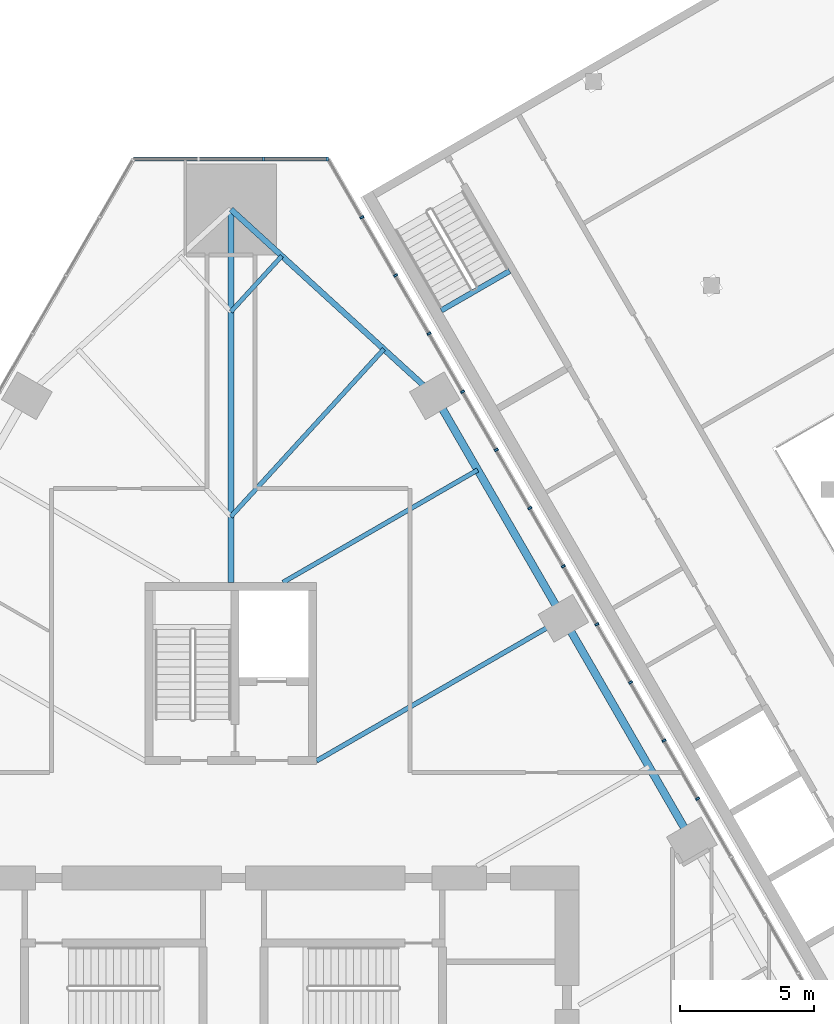
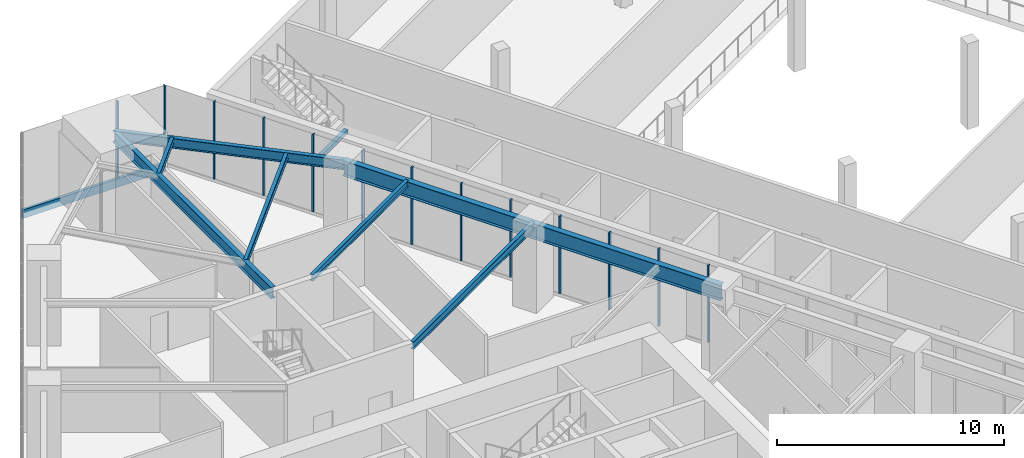
# One storey, part 12 of 30: 14 members, 8 beams, 2 elements without a shape of their own.
"""IFC4 building model written with IfcOpenShell, lengths in metres."""

from ifc_helpers import new_model, si_unit, direction, frame, origin, origin_2d, place, context, subcontext, project, spatial, rectangle, i_section, extrude, material, layer, layer_set, material_profile, profile_set, type_object, element, aggregate, save


model = new_model("IFC4")

# Units and contexts
model_context = context("Model", 3, precision=1e-05, world=origin(), true_north=direction((0.0, 1.0)))
body_context = subcontext(model_context, "Body", "Model", "MODEL_VIEW")
ifc_project = project(units=[si_unit("LENGTHUNIT", "METRE"), si_unit("AREAUNIT", "SQUARE_METRE"), si_unit("VOLUMEUNIT", "CUBIC_METRE"), si_unit("PLANEANGLEUNIT", "RADIAN"), si_unit("MASSUNIT", "GRAM", prefix="KILO")], contexts=[model_context])

# Site, building, storey
site_placement = place(None, origin())
site = spatial("IfcSite", under=ifc_project, at=site_placement, CompositionType="ELEMENT")
building_placement = place(site_placement, origin())
building = spatial("IfcBuilding", under=site, at=building_placement, Name="Firuza Gate Tower and Library", CompositionType="ELEMENT")
storey_placement = place(building_placement, frame((0.0, 0.0, 12.60009765625)))
storey = spatial("IfcBuildingStorey", under=building, at=storey_placement, Name="L02", CompositionType="ELEMENT", Elevation=12.60009765625)

# Curtain wall, members
ifc_material_1 = material(Name="Aluminium 6063-T6", Category="aluminium")
ifc_layer = layer(ifc_material_1, 0.14990234375)
ifc_layer_set = layer_set([ifc_layer], Name="Stick curtain wall, podium")
curtain_wall_type = type_object("IfcCurtainWallType", Name="Stick curtain wall, podium", PredefinedType="NOTDEFINED", material=ifc_layer_set)
placement = place(storey_placement, origin())
curtain_wall_1 = element("IfcCurtainWall", 1, at=placement, inside=storey, type_object=curtain_wall_type, Name="CW5 L02 E", PredefinedType="NOTDEFINED")
ifc_material_2 = material(Name="Aluminium 6063-T6", Category="aluminium")
ifc_material_profile_1 = material_profile(ifc_material_2, rectangle(XDim=0.14990234375, YDim=0.080078125, at=origin_2d()))
ifc_profile_set_1 = profile_set([ifc_material_profile_1], Name="Aluminium 6063-T6")
member_type_1 = type_object("IfcMemberType", Name="Curtain wall mullion 80x150", PredefinedType="MULLION", material=ifc_profile_set_1)
member_1_placement = place(storey_placement, frame((92.43798828125, 86.515869140625, 0.14990234375), z_axis=(0.0, 0.0, 1.0), x_axis=(-0.866025403784, -0.5, 0.0)))
member_1 = element("IfcMember", 2, at=member_1_placement, type_object=member_type_1, Name="Mullion", PredefinedType="MULLION", context=body_context, shape_type="SweptSolid", body=[
    extrude(rectangle(XDim=0.14990234375, YDim=0.080078125, at=origin_2d()), origin(), (0.0, 0.0, 1.0), 4.14990234375),
])
member_2_placement = place(storey_placement, frame((91.183837890625, 88.68798828125, 0.14990234375), z_axis=(0.0, 0.0, 1.0), x_axis=(-0.866025403784, -0.5, 0.0)))
member_2 = element("IfcMember", 3, at=member_2_placement, type_object=member_type_1, Name="Mullion", PredefinedType="MULLION", context=body_context, shape_type="SweptSolid", body=[
    extrude(rectangle(XDim=0.14990234375, YDim=0.080078125, at=origin_2d()), origin(), (0.0, 0.0, 1.0), 4.14990234375),
])
member_3_placement = place(storey_placement, frame((89.929931640625, 90.860107421875, 0.14990234375), z_axis=(0.0, 0.0, 1.0), x_axis=(-0.866025403784, -0.5, 0.0)))
member_3 = element("IfcMember", 4, at=member_3_placement, type_object=member_type_1, Name="Mullion", PredefinedType="MULLION", context=body_context, shape_type="SweptSolid", body=[
    extrude(rectangle(XDim=0.14990234375, YDim=0.080078125, at=origin_2d()), origin(), (0.0, 0.0, 1.0), 4.14990234375),
])
member_4_placement = place(storey_placement, frame((88.67578125, 93.0322265625, 0.14990234375), z_axis=(0.0, 0.0, 1.0), x_axis=(-0.866025403784, -0.5, 0.0)))
member_4 = element("IfcMember", 5, at=member_4_placement, type_object=member_type_1, Name="Mullion", PredefinedType="MULLION", context=body_context, shape_type="SweptSolid", body=[
    extrude(rectangle(XDim=0.14990234375, YDim=0.080078125, at=origin_2d()), origin(), (0.0, 0.0, 1.0), 4.14990234375),
])
member_5_placement = place(storey_placement, frame((87.421630859375, 95.2041015625, 0.14990234375), z_axis=(0.0, 0.0, 1.0), x_axis=(-0.866025403784, -0.5, 0.0)))
member_5 = element("IfcMember", 6, at=member_5_placement, type_object=member_type_1, Name="Mullion", PredefinedType="MULLION", context=body_context, shape_type="SweptSolid", body=[
    extrude(rectangle(XDim=0.14990234375, YDim=0.080078125, at=origin_2d()), origin(), (0.0, 0.0, 1.0), 4.14990234375),
])
member_6_placement = place(storey_placement, frame((86.167724609375, 97.376220703125, 0.14990234375), z_axis=(0.0, 0.0, 1.0), x_axis=(-0.866025403784, -0.5, 0.0)))
member_6 = element("IfcMember", 7, at=member_6_placement, type_object=member_type_1, Name="Mullion", PredefinedType="MULLION", context=body_context, shape_type="SweptSolid", body=[
    extrude(rectangle(XDim=0.14990234375, YDim=0.080078125, at=origin_2d()), origin(), (0.0, 0.0, 1.0), 4.14990234375),
])
member_7_placement = place(storey_placement, frame((84.91357421875, 99.54833984375, 0.14990234375), z_axis=(0.0, 0.0, 1.0), x_axis=(-0.866025403784, -0.5, 0.0)))
member_7 = element("IfcMember", 8, at=member_7_placement, type_object=member_type_1, Name="Mullion", PredefinedType="MULLION", context=body_context, shape_type="SweptSolid", body=[
    extrude(rectangle(XDim=0.14990234375, YDim=0.080078125, at=origin_2d()), origin(), (0.0, 0.0, 1.0), 4.14990234375),
])
member_8_placement = place(storey_placement, frame((83.659423828125, 101.720458984375, 0.14990234375), z_axis=(0.0, 0.0, 1.0), x_axis=(-0.866025403784, -0.5, 0.0)))
member_8 = element("IfcMember", 9, at=member_8_placement, type_object=member_type_1, Name="Mullion", PredefinedType="MULLION", context=body_context, shape_type="SweptSolid", body=[
    extrude(rectangle(XDim=0.14990234375, YDim=0.080078125, at=origin_2d()), origin(), (0.0, 0.0, 1.0), 4.14990234375),
])
member_9_placement = place(storey_placement, frame((82.405517578125, 103.892578125, 0.14990234375), z_axis=(0.0, 0.0, 1.0), x_axis=(-0.866025403784, -0.5, 0.0)))
member_9 = element("IfcMember", 10, at=member_9_placement, type_object=member_type_1, Name="Mullion", PredefinedType="MULLION", context=body_context, shape_type="SweptSolid", body=[
    extrude(rectangle(XDim=0.14990234375, YDim=0.080078125, at=origin_2d()), origin(), (0.0, 0.0, 1.0), 4.14990234375),
])
member_10_placement = place(storey_placement, frame((81.1513671875, 106.064697265625, 0.14990234375), z_axis=(0.0, 0.0, 1.0), x_axis=(-0.866025403784, -0.5, 0.0)))
member_10 = element("IfcMember", 11, at=member_10_placement, type_object=member_type_1, Name="Mullion", PredefinedType="MULLION", context=body_context, shape_type="SweptSolid", body=[
    extrude(rectangle(XDim=0.14990234375, YDim=0.080078125, at=origin_2d()), origin(), (0.0, 0.0, 1.0), 4.14990234375),
])
member_11_placement = place(storey_placement, frame((79.8974609375, 108.23681640625, 0.14990234375), z_axis=(0.0, 0.0, 1.0), x_axis=(-0.866025403784, -0.5, 0.0)))
member_11 = element("IfcMember", 12, at=member_11_placement, type_object=member_type_1, Name="Mullion", PredefinedType="MULLION", context=body_context, shape_type="SweptSolid", body=[
    extrude(rectangle(XDim=0.14990234375, YDim=0.080078125, at=origin_2d()), origin(), (0.0, 0.0, 1.0), 4.14990234375),
])
aggregate(curtain_wall_1, [member_1, member_2, member_3, member_4, member_5, member_6, member_7, member_8, member_9, member_10, member_11])

curtain_wall_2 = element("IfcCurtainWall", 13, at=placement, inside=storey, type_object=curtain_wall_type, Name="CW5 L02 N", PredefinedType="NOTDEFINED")
member_12_placement = place(storey_placement, frame((78.603271484375, 110.408935546875, 0.14990234375), z_axis=(0.0, 0.0, 1.0), x_axis=(0.0, -1.0, 0.0)))
member_12 = element("IfcMember", 14, at=member_12_placement, type_object=member_type_1, Name="Mullion", PredefinedType="MULLION", context=body_context, shape_type="SweptSolid", body=[
    extrude(rectangle(XDim=0.14990234375, YDim=0.080078125, at=origin_2d()), origin(), (0.0, 0.0, 1.0), 4.14990234375),
])
member_13_placement = place(storey_placement, frame((76.21435546875, 110.408935546875, 0.14990234375), z_axis=(0.0, 0.0, 1.0), x_axis=(0.0, -1.0, 0.0)))
member_13 = element("IfcMember", 15, at=member_13_placement, type_object=member_type_1, Name="Mullion", PredefinedType="MULLION", context=body_context, shape_type="SweptSolid", body=[
    extrude(rectangle(XDim=0.14990234375, YDim=0.080078125, at=origin_2d()), origin(), (0.0, 0.0, 1.0), 4.14990234375),
])
ifc_material_3 = material(Name="Aluminium 6063-T6", Category="aluminium")
ifc_material_profile_2 = material_profile(ifc_material_3, rectangle(XDim=0.14990234375, YDim=0.449951171875, at=origin_2d()))
ifc_profile_set_2 = profile_set([ifc_material_profile_2], Name="Aluminium 6063-T6")
member_type_2 = type_object("IfcMemberType", Name="Curtain wall transom 450x150", PredefinedType="USERDEFINED", material=ifc_profile_set_2)
member_14_placement = place(storey_placement, frame((78.643310546875, 110.408935546875, -0.0751953125), z_axis=(-1.0, 0.0, 0.0), x_axis=(0.0, -1.0, 0.0)))
member_14 = element("IfcMember", 16, at=member_14_placement, type_object=member_type_2, Name="Transom", ObjectType="TRANSOM", PredefinedType="USERDEFINED", context=body_context, shape_type="SweptSolid", body=[
    extrude(rectangle(XDim=0.14990234375, YDim=0.449951171875, at=origin_2d()), origin(), (0.0, 0.0, 1.0), 7.28662109375),
])
aggregate(curtain_wall_2, [member_12, member_13, member_14])

# Beams
ifc_material_4 = material(Name="Concrete C40/50", Category="concrete")
ifc_material_profile_3 = material_profile(ifc_material_4, rectangle(XDim=0.199951171875, YDim=0.199951171875, at=origin_2d()))
ifc_profile_set_3 = profile_set([ifc_material_profile_3], Name="Concrete C40/50")
beam_type_1 = type_object("IfcBeamType", Name="LIB LANDING BEARER 200X200", PredefinedType="BEAM", material=ifc_profile_set_3)
beam_1_placement = place(storey_placement, frame((82.859375, 104.75634765625, 2.0), z_axis=(0.866060182126, 0.499939757307, 0.0), x_axis=(-0.499939757307, 0.866060182126, 0.0)))
element("IfcBeam", 17, at=beam_1_placement, inside=storey, type_object=beam_type_1, Name="LIB-ST-A landing bearer L02", PredefinedType="BEAM", context=body_context, shape_type="SweptSolid", body=[
    extrude(rectangle(XDim=0.199951171875, YDim=0.199951171875, at=origin_2d()), origin(), (0.0, 0.0, 1.0), 2.949951171875),
])
ifc_material_5 = material(Name="Steel S355", Category="steel")
ifc_material_profile_4 = material_profile(ifc_material_5, i_section(OverallWidth=0.1650390625, OverallDepth=0.31005859375, WebThickness=0.005859375, FlangeThickness=0.009765625, at=origin_2d()))
ifc_profile_set_4 = profile_set([ifc_material_profile_4], Name="Steel S355")
beam_type_2 = type_object("IfcBeamType", Name="W310x39 Floor beam", PredefinedType="JOIST", material=ifc_profile_set_4)
beam_2_placement = place(storey_placement, frame((76.905029296875, 106.79296875, 4.14501953125), z_axis=(-0.674533736892, -0.738244023203, 0.0), x_axis=(0.738244023203, -0.674533736892, 0.0)))
element("IfcBeam", 18, at=beam_2_placement, inside=storey, type_object=beam_type_2, Name="Floor beam L02 s81", PredefinedType="JOIST", context=body_context, shape_type="SweptSolid", body=[
    extrude(i_section(OverallWidth=0.1650390625, OverallDepth=0.31005859375, WebThickness=0.005859375, FlangeThickness=0.009765625, at=origin_2d()), origin(), (0.0, 0.0, 1.0), 2.82421875),
])
ifc_material_6 = material(Name="Steel S355", Category="steel")
ifc_material_profile_5 = material_profile(ifc_material_6, i_section(OverallWidth=0.1708984375, OverallDepth=0.35498046875, WebThickness=0.007080078125, FlangeThickness=0.01171875, at=origin_2d()))
ifc_profile_set_5 = profile_set([ifc_material_profile_5], Name="Steel S355")
beam_type_3 = type_object("IfcBeamType", Name="W360x51 Floor beam", PredefinedType="JOIST", material=ifc_profile_set_5)
beam_3_placement = place(storey_placement, frame((84.220458984375, 98.798828125, 4.122314453125), z_axis=(-0.866019517829, -0.500010194636, 0.0), x_axis=(0.500010194636, -0.866019517829, 0.0)))
element("IfcBeam", 19, at=beam_3_placement, inside=storey, type_object=beam_type_3, Name="Floor beam L02 s75", PredefinedType="JOIST", context=body_context, shape_type="SweptSolid", body=[
    extrude(i_section(OverallWidth=0.1708984375, OverallDepth=0.35498046875, WebThickness=0.007080078125, FlangeThickness=0.01171875, at=origin_2d()), origin(), (0.0, 0.0, 1.0), 8.397216796875),
])
beam_4_placement = place(storey_placement, frame((80.71533203125, 103.31103515625, 4.122314453125), z_axis=(-0.674578139258, -0.7382034503, 0.0), x_axis=(0.7382034503, -0.674578139258, 0.0)))
element("IfcBeam", 20, at=beam_4_placement, inside=storey, type_object=beam_type_3, Name="Floor beam L02 s80", PredefinedType="JOIST", context=body_context, shape_type="SweptSolid", body=[
    extrude(i_section(OverallWidth=0.1708984375, OverallDepth=0.35498046875, WebThickness=0.007080078125, FlangeThickness=0.01171875, at=origin_2d()), origin(), (0.0, 0.0, 1.0), 8.472412109375),
])
ifc_material_7 = material(Name="Steel S355", Category="steel")
ifc_material_profile_6 = material_profile(ifc_material_7, i_section(OverallWidth=0.177978515625, OverallDepth=0.406982421875, WebThickness=0.0078125, FlangeThickness=0.0126953125, at=origin_2d()))
ifc_profile_set_6 = profile_set([ifc_material_profile_6], Name="Steel S355")
beam_type_4 = type_object("IfcBeamType", Name="W410x60 Floor beam", PredefinedType="JOIST", material=ifc_profile_set_6)
beam_5_placement = place(storey_placement, frame((87.420654296875, 93.256103515625, 4.096435546875), z_axis=(-0.866029027547, -0.499993723407, 0.0), x_axis=(0.499993723407, -0.866029027547, 0.0)))
element("IfcBeam", 21, at=beam_5_placement, inside=storey, type_object=beam_type_4, Name="Floor beam L02 s74", PredefinedType="JOIST", context=body_context, shape_type="SweptSolid", body=[
    extrude(i_section(OverallWidth=0.177978515625, OverallDepth=0.406982421875, WebThickness=0.0078125, FlangeThickness=0.0126953125, at=origin_2d()), origin(), (0.0, 0.0, 1.0), 10.647216796875),
])
ifc_material_8 = material(Name="Steel S355", Category="steel")
ifc_material_profile_7 = material_profile(ifc_material_8, i_section(OverallWidth=0.212890625, OverallDepth=0.5390625, WebThickness=0.01171875, FlangeThickness=0.018798828125, at=origin_2d()))
ifc_profile_set_7 = profile_set([ifc_material_profile_7], Name="Steel S355")
beam_type_5 = type_object("IfcBeamType", Name="W530x109 Edge beam", PredefinedType="SPANDREL", material=ifc_profile_set_7)
beam_6_placement = place(storey_placement, frame((82.62060546875, 101.570068359375, 4.030517578125), z_axis=(-0.738199730284, 0.674582210118, 0.0), x_axis=(-0.674582210118, -0.738199730284, 0.0)))
element("IfcBeam", 22, at=beam_6_placement, inside=storey, type_object=beam_type_5, Name="Edge beam L02 e80", PredefinedType="SPANDREL", context=body_context, shape_type="SweptSolid", body=[
    extrude(i_section(OverallWidth=0.212890625, OverallDepth=0.5390625, WebThickness=0.01171875, FlangeThickness=0.018798828125, at=origin_2d()), origin(), (0.0, 0.0, 1.0), 10.3232421875),
])
ifc_material_9 = material(Name="Steel S355", Category="steel")
ifc_material_profile_8 = material_profile(ifc_material_9, i_section(OverallWidth=0.22802734375, OverallDepth=0.60302734375, WebThickness=0.010498046875, FlangeThickness=0.014892578125, at=origin_2d()))
ifc_profile_set_8 = profile_set([ifc_material_profile_8], Name="Steel S355")
beam_type_6 = type_object("IfcBeamType", Name="W610x101 Girder", PredefinedType="BEAM", material=ifc_profile_set_8)
beam_7_placement = place(storey_placement, frame((75.0, 108.533935546875, 3.998291015625), z_axis=(0.0, -1.0, 0.0), x_axis=(1.0, 0.0, 0.0)))
element("IfcBeam", 23, at=beam_7_placement, inside=storey, type_object=beam_type_6, Name="Girder L02 gN", PredefinedType="BEAM", context=body_context, shape_type="SweptSolid", body=[
    extrude(i_section(OverallWidth=0.22802734375, OverallDepth=0.60302734375, WebThickness=0.010498046875, FlangeThickness=0.014892578125, at=origin_2d()), origin(), (0.0, 0.0, 1.0), 13.933837890625),
])
ifc_material_10 = material(Name="Steel S355", Category="steel")
ifc_material_profile_9 = material_profile(ifc_material_10, i_section(OverallWidth=0.2919921875, OverallDepth=0.8349609375, WebThickness=0.013916015625, FlangeThickness=0.018798828125, at=origin_2d()))
ifc_profile_set_9 = profile_set([ifc_material_profile_9], Name="Steel S355")
beam_type_7 = type_object("IfcBeamType", Name="W840x176 Edge beam", PredefinedType="SPANDREL", material=ifc_profile_set_9)
beam_8_placement = place(storey_placement, frame((92.220458984375, 84.9423828125, 3.88232421875), z_axis=(-0.499994327668, 0.866028678682, 0.0), x_axis=(-0.866028678682, -0.499994327668, 0.0)))
element("IfcBeam", 24, at=beam_8_placement, inside=storey, type_object=beam_type_7, Name="Edge beam L02 e72", PredefinedType="SPANDREL", context=body_context, shape_type="SweptSolid", body=[
    extrude(i_section(OverallWidth=0.2919921875, OverallDepth=0.8349609375, WebThickness=0.013916015625, FlangeThickness=0.018798828125, at=origin_2d()), origin(), (0.0, 0.0, 1.0), 19.199951171875),
])

save(model, "model.ifc")
